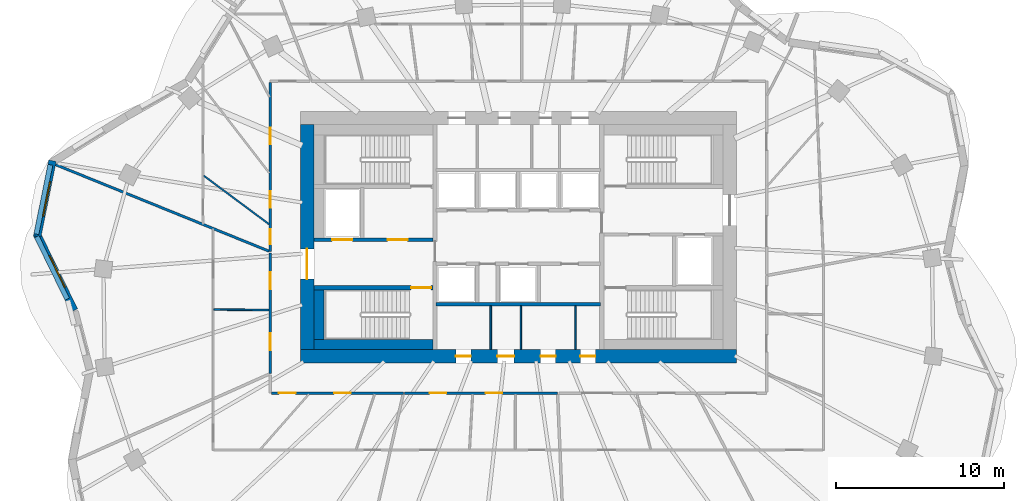
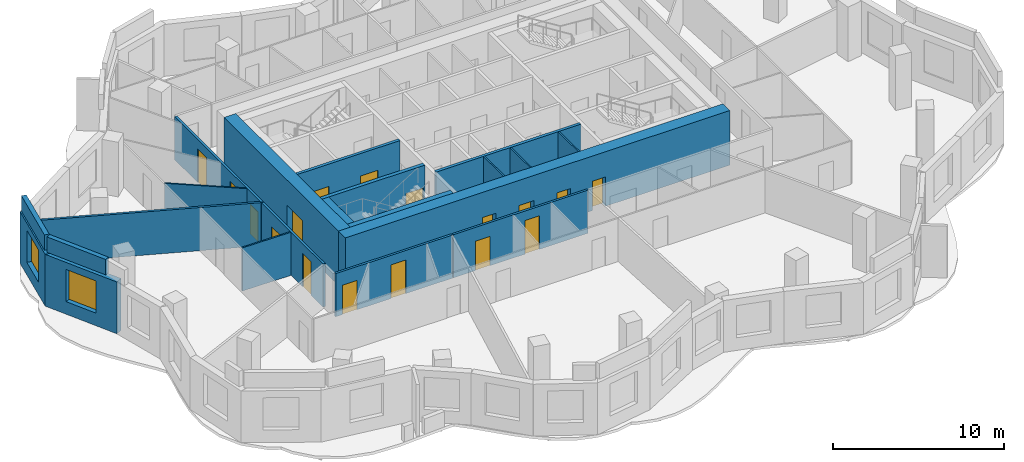
# One storey, part 4 of 10: 21 walls, 17 doors, 2 windows, 19 openings.
"""IFC4 building model written with IfcOpenShell, lengths in metres."""

from ifc_helpers import new_model, si_unit, direction, frame, frame_2d, origin, place, context, subcontext, project, spatial, rectangle, extrude, material, layer, layer_set, type_object, element, fill, save


model = new_model("IFC4")

# Units and contexts
model_context = context("Model", 3, precision=1e-05, world=origin(), true_north=direction((0.0, 1.0)))
body_context = subcontext(model_context, "Body", "Model", "MODEL_VIEW")
ifc_project = project(units=[si_unit("LENGTHUNIT", "METRE"), si_unit("AREAUNIT", "SQUARE_METRE"), si_unit("VOLUMEUNIT", "CUBIC_METRE"), si_unit("PLANEANGLEUNIT", "RADIAN"), si_unit("MASSUNIT", "GRAM", prefix="KILO")], contexts=[model_context])

# Site, building, storey
site_placement = place(None, origin())
site = spatial("IfcSite", under=ifc_project, at=site_placement, CompositionType="ELEMENT")
building_placement = place(site_placement, origin())
building = spatial("IfcBuilding", under=site, at=building_placement, Name="Rubra Terraces Tower", CompositionType="ELEMENT")
storey_placement = place(building_placement, frame((0.0, 0.0, 256.5)))
storey = spatial("IfcBuildingStorey", under=building, at=storey_placement, Name="L63", CompositionType="ELEMENT", Elevation=256.5)

# Wall, opening, window
ifc_material_1 = material(Name="Brick masonry red-brown", Category="masonry")
ifc_layer_1 = layer(ifc_material_1, 0.449951171875)
ifc_layer_set_1 = layer_set([ifc_layer_1], Name="Brick masonry red-brown")
wall_type_1 = type_object("IfcWallType", Name="Brick facade wall 450", PredefinedType="SOLIDWALL", material=ifc_layer_set_1)
wall_1_placement = place(storey_placement, frame((-27.779541015625, 9.053466796875, 0.0), z_axis=(0.0, 0.0, 1.0), x_axis=(-0.197796229105, -0.980243159503, 0.0)))
wall_1 = element("IfcWall", 1, at=wall_1_placement, inside=storey, type_object=wall_type_1, Name="Facade wall L63 bay 19", PredefinedType="SOLIDWALL", context=body_context, shape_type="SweptSolid", body=[
    extrude(rectangle(XDim=4.610107421875, YDim=0.449951171875, at=frame_2d((2.30517578125, 0.0))), origin(), (0.0, 0.0, 1.0), 3.699951171875),
])
opening_1_placement = place(wall_1_placement, frame((1.255126953125, 0.0, 0.89990234375)))
opening_1 = element("IfcOpeningElement", 2, at=opening_1_placement, cuts=wall_1, Name="Opening W1B", PredefinedType="OPENING", context=body_context, shape_type="SweptSolid", body=[
    extrude(rectangle(XDim=2.10009765625, YDim=2.300048828125, at=frame_2d((1.050048828125, 1.14990234375))), frame((0.0, 0.23486328125, 0.0), z_axis=(0.0, -1.0, 0.0), x_axis=(1.0, 0.0, 0.0)), (0.0, 0.0, 1.0), 0.469970703125),
])
ifc_material_2 = material(Name="Clear glass in aluminium frame", Category="aluminium")
window_type = type_object("IfcWindowType", Name="Fixed deep-set window tall storey 2100 x 2300", PartitioningType="SINGLE_PANEL", PredefinedType="WINDOW", material=ifc_material_2)
window_1_placement = place(opening_1_placement, origin())
window_1 = element("IfcWindow", 3, at=window_1_placement, inside=storey, type_object=window_type, Name="Window L63 bay 19", OverallHeight=2.300048828125, OverallWidth=2.10009765625, PartitioningType="SINGLE_PANEL", PredefinedType="WINDOW", context=body_context, shape_type="SweptSolid", body=[
    extrude(rectangle(XDim=2.10009765625, YDim=2.300048828125, at=frame_2d((1.050048828125, 1.14990234375))), frame((0.0, 0.135009765625, 0.0), z_axis=(0.0, -1.0, 0.0), x_axis=(1.0, 0.0, 0.0)), (0.0, 0.0, 1.0), 0.06005859375),
])
fill(opening_1, window_1)

wall_2_placement = place(storey_placement, frame((-28.70703125, 4.672119140625, 0.0), z_axis=(0.0, 0.0, 1.0), x_axis=(0.439053549989, -0.898460895221, 0.0)))
wall_2 = element("IfcWall", 4, at=wall_2_placement, inside=storey, type_object=wall_type_1, Name="Facade wall L63 bay 20", PredefinedType="SOLIDWALL", context=body_context, shape_type="SweptSolid", body=[
    extrude(rectangle(XDim=5.061767578125, YDim=0.449951171875, at=frame_2d((2.53076171875, 0.0))), origin(), (0.0, 0.0, 1.0), 3.699951171875),
])
opening_2_placement = place(wall_2_placement, frame((1.48095703125, 0.0, 0.89990234375)))
opening_2 = element("IfcOpeningElement", 5, at=opening_2_placement, cuts=wall_2, Name="Opening W1B", PredefinedType="OPENING", context=body_context, shape_type="SweptSolid", body=[
    extrude(rectangle(XDim=2.10009765625, YDim=2.300048828125, at=frame_2d((1.050048828125, 1.14990234375))), frame((0.0, 0.23486328125, 0.0), z_axis=(0.0, -1.0, 0.0), x_axis=(1.0, 0.0, 0.0)), (0.0, 0.0, 1.0), 0.469970703125),
])
window_2_placement = place(opening_2_placement, origin())
window_2 = element("IfcWindow", 6, at=window_2_placement, inside=storey, type_object=window_type, Name="Window L63 bay 20", OverallHeight=2.300048828125, OverallWidth=2.10009765625, PartitioningType="SINGLE_PANEL", PredefinedType="WINDOW", context=body_context, shape_type="SweptSolid", body=[
    extrude(rectangle(XDim=2.10009765625, YDim=2.300048828125, at=frame_2d((1.050048828125, 1.14990234375))), frame((0.0, 0.135009765625, 0.0), z_axis=(0.0, -1.0, 0.0), x_axis=(1.0, 0.0, 0.0)), (0.0, 0.0, 1.0), 0.06005859375),
])
fill(opening_2, window_2)

# Walls
ifc_layer_2 = layer(ifc_material_1, 0.300048828125)
ifc_layer_set_2 = layer_set([ifc_layer_2], Name="Brick masonry red-brown")
wall_type_2 = type_object("IfcWallType", Name="Brick parapet 300", PredefinedType="PARAPET", material=ifc_layer_set_2)
wall_3_placement = place(storey_placement, frame((-27.90478515625, 8.8115234375, 3.89990234375), z_axis=(0.0, 0.0, 1.0), x_axis=(-0.197841673862, -0.980233988435, 0.0)))
element("IfcWall", 7, at=wall_3_placement, inside=storey, type_object=wall_type_2, Name="Parapet L63 bay 19", PredefinedType="PARAPET", context=body_context, shape_type="SweptSolid", body=[
    extrude(rectangle(XDim=4.216552734375, YDim=0.300048828125, at=frame_2d((2.1083984375, 0.0))), origin(), (0.0, 0.0, 1.0), 1.10009765625),
])
wall_4_placement = place(storey_placement, frame((-28.719482421875, 4.5263671875, 3.89990234375), z_axis=(0.0, 0.0, 1.0), x_axis=(0.439134033243, -0.898421560765, 0.0)))
element("IfcWall", 8, at=wall_4_placement, inside=storey, type_object=wall_type_2, Name="Parapet L63 bay 20", PredefinedType="PARAPET", context=body_context, shape_type="SweptSolid", body=[
    extrude(rectangle(XDim=4.14306640625, YDim=0.300048828125, at=frame_2d((2.071533203125, 0.0))), origin(), (0.0, 0.0, 1.0), 1.10009765625),
])

# Wall, openings, doors
ifc_material_3 = material(Name="Concrete C50", Category="concrete")
ifc_layer_3 = layer(ifc_material_3, 0.800048828125)
ifc_layer_set_3 = layer_set([ifc_layer_3], Name="Concrete C50")
wall_type_3 = type_object("IfcWallType", Name="CORE WALL 800 C50", PredefinedType="SHEAR", material=ifc_layer_set_3)
wall_5_placement = place(storey_placement, frame((-13.0, -2.60009765625, 0.0), z_axis=(0.0, 0.0, 1.0), x_axis=(1.0, 0.0, 0.0)))
wall_5 = element("IfcWall", 9, at=wall_5_placement, inside=storey, type_object=wall_type_3, Name="CORE WALL S L63", PredefinedType="SHEAR", context=body_context, shape_type="SweptSolid", body=[
    extrude(rectangle(XDim=26.0, YDim=0.800048828125, at=frame_2d((13.0, 0.0))), origin(), (0.0, 0.0, 1.0), 3.89990234375),
])
opening_3_placement = place(wall_5_placement, frame((9.27490234375, 0.0, 0.0)))
opening_3 = element("IfcOpeningElement", 10, at=opening_3_placement, cuts=wall_5, Name="Opening L63.C21", PredefinedType="OPENING", context=body_context, shape_type="SweptSolid", body=[
    extrude(rectangle(XDim=0.89990234375, YDim=2.10009765625, at=frame_2d((0.449951171875, 1.050048828125))), frame((0.0, 0.409912109375, 0.0), z_axis=(0.0, -1.0, 0.0), x_axis=(1.0, 0.0, 0.0)), (0.0, 0.0, 1.0), 0.820068359375),
])
opening_4_placement = place(wall_5_placement, frame((11.75, 0.0, 0.0)))
opening_4 = element("IfcOpeningElement", 11, at=opening_4_placement, cuts=wall_5, Name="Opening L63.C22", PredefinedType="OPENING", context=body_context, shape_type="SweptSolid", body=[
    extrude(rectangle(XDim=1.0, YDim=2.10009765625, at=frame_2d((0.5, 1.050048828125))), frame((0.0, 0.409912109375, 0.0), z_axis=(0.0, -1.0, 0.0), x_axis=(1.0, 0.0, 0.0)), (0.0, 0.0, 1.0), 0.820068359375),
])
opening_5_placement = place(wall_5_placement, frame((14.324951171875, 0.0, 0.0)))
opening_5 = element("IfcOpeningElement", 12, at=opening_5_placement, cuts=wall_5, Name="Opening L63.C23", PredefinedType="OPENING", context=body_context, shape_type="SweptSolid", body=[
    extrude(rectangle(XDim=0.89990234375, YDim=2.10009765625, at=frame_2d((0.449951171875, 1.050048828125))), frame((0.0, 0.409912109375, 0.0), z_axis=(0.0, -1.0, 0.0), x_axis=(1.0, 0.0, 0.0)), (0.0, 0.0, 1.0), 0.820068359375),
])
opening_6_placement = place(wall_5_placement, frame((16.699951171875, 0.0, 0.0)))
opening_6 = element("IfcOpeningElement", 13, at=opening_6_placement, cuts=wall_5, Name="Opening L63.C24", PredefinedType="OPENING", context=body_context, shape_type="SweptSolid", body=[
    extrude(rectangle(XDim=0.89990234375, YDim=2.10009765625, at=frame_2d((0.449951171875, 1.050048828125))), frame((0.0, 0.409912109375, 0.0), z_axis=(0.0, -1.0, 0.0), x_axis=(1.0, 0.0, 0.0)), (0.0, 0.0, 1.0), 0.820068359375),
])
ifc_material_4 = material(Name="Painted steel", Category="steel")
door_type_1 = type_object("IfcDoorType", Name="Fire door 1000x2100 single", OperationType="NOTDEFINED", PredefinedType="DOOR", material=ifc_material_4)
door_1_placement = place(opening_4_placement, origin())
door_1 = element("IfcDoor", 14, at=door_1_placement, inside=storey, type_object=door_type_1, Name="Accessible WC door", OperationType="SINGLE_SWING_RIGHT", OverallHeight=2.10009765625, OverallWidth=1.0, PredefinedType="DOOR", context=body_context, shape_type="SweptSolid", body=[
    extrude(rectangle(XDim=1.0, YDim=2.10009765625, at=frame_2d((0.5, 1.050048828125))), frame((0.0, 0.02490234375, 0.0), z_axis=(0.0, -1.0, 0.0), x_axis=(1.0, 0.0, 0.0)), (0.0, 0.0, 1.0), 0.050048828125),
])
fill(opening_4, door_1)
door_type_2 = type_object("IfcDoorType", Name="Fire door 900x2100 single", OperationType="NOTDEFINED", PredefinedType="DOOR", material=ifc_material_4)
door_2_placement = place(opening_3_placement, origin())
door_2 = element("IfcDoor", 15, at=door_2_placement, inside=storey, type_object=door_type_2, Name="Gents WC door", OperationType="SINGLE_SWING_LEFT", OverallHeight=2.10009765625, OverallWidth=0.89990234375, PredefinedType="DOOR", context=body_context, shape_type="SweptSolid", body=[
    extrude(rectangle(XDim=0.89990234375, YDim=2.10009765625, at=frame_2d((0.449951171875, 1.050048828125))), frame((0.0, 0.02490234375, 0.0), z_axis=(0.0, -1.0, 0.0), x_axis=(1.0, 0.0, 0.0)), (0.0, 0.0, 1.0), 0.050048828125),
])
fill(opening_3, door_2)
door_3_placement = place(opening_5_placement, origin())
door_3 = element("IfcDoor", 16, at=door_3_placement, inside=storey, type_object=door_type_2, Name="Ladies WC door", OperationType="SINGLE_SWING_LEFT", OverallHeight=2.10009765625, OverallWidth=0.89990234375, PredefinedType="DOOR", context=body_context, shape_type="SweptSolid", body=[
    extrude(rectangle(XDim=0.89990234375, YDim=2.10009765625, at=frame_2d((0.449951171875, 1.050048828125))), frame((0.0, 0.02490234375, 0.0), z_axis=(0.0, -1.0, 0.0), x_axis=(1.0, 0.0, 0.0)), (0.0, 0.0, 1.0), 0.050048828125),
])
fill(opening_5, door_3)
door_4_placement = place(opening_6_placement, origin())
door_4 = element("IfcDoor", 17, at=door_4_placement, inside=storey, type_object=door_type_2, Name="Cleaner's store door", OperationType="SINGLE_SWING_RIGHT", OverallHeight=2.10009765625, OverallWidth=0.89990234375, PredefinedType="DOOR", context=body_context, shape_type="SweptSolid", body=[
    extrude(rectangle(XDim=0.89990234375, YDim=2.10009765625, at=frame_2d((0.449951171875, 1.050048828125))), frame((0.0, 0.02490234375, 0.0), z_axis=(0.0, -1.0, 0.0), x_axis=(1.0, 0.0, 0.0)), (0.0, 0.0, 1.0), 0.050048828125),
])
fill(opening_6, door_4)

# Wall, opening, door
wall_6_placement = place(storey_placement, frame((-12.60009765625, -2.199951171875, 0.0), z_axis=(0.0, 0.0, 1.0), x_axis=(0.0, 1.0, 0.0)))
wall_6 = element("IfcWall", 18, at=wall_6_placement, inside=storey, type_object=wall_type_3, Name="CORE WALL W L63", PredefinedType="SHEAR", context=body_context, shape_type="SweptSolid", body=[
    extrude(rectangle(XDim=13.39990234375, YDim=0.800048828125, at=frame_2d((6.699951171875, 0.0))), origin(), (0.0, 0.0, 1.0), 3.89990234375),
])
opening_7_placement = place(wall_6_placement, frame((4.199951171875, 0.0, 0.0)))
opening_7 = element("IfcOpeningElement", 19, at=opening_7_placement, cuts=wall_6, Name="Opening L63.C01", PredefinedType="OPENING", context=body_context, shape_type="SweptSolid", body=[
    extrude(rectangle(XDim=1.800048828125, YDim=2.10009765625, at=frame_2d((0.89990234375, 1.050048828125))), frame((0.0, 0.409912109375, 0.0), z_axis=(0.0, -1.0, 0.0), x_axis=(1.0, 0.0, 0.0)), (0.0, 0.0, 1.0), 0.820068359375),
])
door_type_3 = type_object("IfcDoorType", Name="Fire door 1800x2100 double", OperationType="NOTDEFINED", PredefinedType="DOOR", material=ifc_material_4)
door_5_placement = place(opening_7_placement, origin())
door_5 = element("IfcDoor", 20, at=door_5_placement, inside=storey, type_object=door_type_3, Name="Core entrance door FF1", OperationType="DOUBLE_DOOR_SINGLE_SWING", OverallHeight=2.10009765625, OverallWidth=1.800048828125, PredefinedType="DOOR", context=body_context, shape_type="SweptSolid", body=[
    extrude(rectangle(XDim=1.800048828125, YDim=2.10009765625, at=frame_2d((0.89990234375, 1.050048828125))), frame((0.0, 0.02490234375, 0.0), z_axis=(0.0, -1.0, 0.0), x_axis=(1.0, 0.0, 0.0)), (0.0, 0.0, 1.0), 0.050048828125),
])
fill(opening_7, door_5)

# Wall, openings, doors
ifc_material_5 = material(Name="Plasterboard on steel stud, mineral wool infill", Category="steel")
ifc_layer_4 = layer(ifc_material_5, 0.14990234375)
ifc_layer_set_4 = layer_set([ifc_layer_4], Name="Plasterboard on steel stud, mineral wool infill")
wall_type_4 = type_object("IfcWallType", Name="CORRIDOR PARTITION 150", PredefinedType="PARTITIONING", material=ifc_layer_set_4)
wall_7_placement = place(storey_placement, frame((-14.800048828125, 13.72509765625, 0.0), z_axis=(0.0, 0.0, 1.0), x_axis=(0.0, -1.0, 0.0)))
wall_7 = element("IfcWall", 21, at=wall_7_placement, inside=storey, type_object=wall_type_4, Name="PARTITION", PredefinedType="PARTITIONING", context=body_context, shape_type="SweptSolid", body=[
    extrude(rectangle(XDim=10.093505859375, YDim=0.14990234375, at=frame_2d((5.046875, 0.0))), origin(), (0.0, 0.0, 1.0), 3.083984375),
])
opening_8_placement = place(wall_7_placement, frame((2.700927734375, 0.0, 0.0)))
opening_8 = element("IfcOpeningElement", 22, at=opening_8_placement, cuts=wall_7, Name="Opening 63-111", PredefinedType="OPENING", context=body_context, shape_type="SweptSolid", body=[
    extrude(rectangle(XDim=1.0, YDim=2.39990234375, at=frame_2d((0.5, 1.199951171875))), frame((0.0, 0.0849609375, 0.0), z_axis=(0.0, -1.0, 0.0), x_axis=(1.0, 0.0, 0.0)), (0.0, 0.0, 1.0), 0.169921875),
])
opening_9_placement = place(wall_7_placement, frame((6.488037109375, 0.0, 0.0)))
opening_9 = element("IfcOpeningElement", 23, at=opening_9_placement, cuts=wall_7, Name="Opening 63-112", PredefinedType="OPENING", context=body_context, shape_type="SweptSolid", body=[
    extrude(rectangle(XDim=1.0, YDim=2.39990234375, at=frame_2d((0.5, 1.199951171875))), frame((0.0, 0.0849609375, 0.0), z_axis=(0.0, -1.0, 0.0), x_axis=(1.0, 0.0, 0.0)), (0.0, 0.0, 1.0), 0.169921875),
])
opening_10_placement = place(wall_7_placement, frame((8.75, 0.0, 0.0)))
opening_10 = element("IfcOpeningElement", 24, at=opening_10_placement, cuts=wall_7, Name="Opening 63-136", PredefinedType="OPENING", context=body_context, shape_type="SweptSolid", body=[
    extrude(rectangle(XDim=0.89990234375, YDim=2.10009765625, at=frame_2d((0.449951171875, 1.050048828125))), frame((0.0, 0.0849609375, 0.0), z_axis=(0.0, -1.0, 0.0), x_axis=(1.0, 0.0, 0.0)), (0.0, 0.0, 1.0), 0.169921875),
])
ifc_material_6 = material(Name="Painted timber door leaf", Category="wood")
door_type_4 = type_object("IfcDoorType", Name="BATHROOM DOOR 900 X 2100", OperationType="SINGLE_SWING_LEFT", PredefinedType="DOOR", material=ifc_material_6)
door_6_placement = place(opening_10_placement, origin())
door_6 = element("IfcDoor", 25, at=door_6_placement, inside=storey, type_object=door_type_4, Name="DOOR 63-136", OperationType="SINGLE_SWING_RIGHT", OverallHeight=2.10009765625, OverallWidth=0.89990234375, PredefinedType="DOOR", context=body_context, shape_type="SweptSolid", body=[
    extrude(rectangle(XDim=0.89990234375, YDim=2.10009765625, at=frame_2d((0.449951171875, 1.050048828125))), frame((0.0, 0.02490234375, 0.0), z_axis=(0.0, -1.0, 0.0), x_axis=(1.0, 0.0, 0.0)), (0.0, 0.0, 1.0), 0.050048828125),
])
fill(opening_10, door_6)
ifc_material_7 = material(Name="Glazed aluminium meeting door leaf", Category="aluminium")
door_type_5 = type_object("IfcDoorType", Name="MEETING ROOM GLAZED DOOR 1000 X 2400", OperationType="SINGLE_SWING_LEFT", PredefinedType="DOOR", material=ifc_material_7)
door_7_placement = place(opening_8_placement, origin())
door_7 = element("IfcDoor", 26, at=door_7_placement, inside=storey, type_object=door_type_5, Name="DOOR 63-111", OperationType="SINGLE_SWING_RIGHT", OverallHeight=2.39990234375, OverallWidth=1.0, PredefinedType="DOOR", context=body_context, shape_type="SweptSolid", body=[
    extrude(rectangle(XDim=1.0, YDim=2.39990234375, at=frame_2d((0.5, 1.199951171875))), frame((0.0, 0.02490234375, 0.0), z_axis=(0.0, -1.0, 0.0), x_axis=(1.0, 0.0, 0.0)), (0.0, 0.0, 1.0), 0.050048828125),
])
fill(opening_8, door_7)
door_8_placement = place(opening_9_placement, origin())
door_8 = element("IfcDoor", 27, at=door_8_placement, inside=storey, type_object=door_type_5, Name="DOOR 63-112", OperationType="SINGLE_SWING_RIGHT", OverallHeight=2.39990234375, OverallWidth=1.0, PredefinedType="DOOR", context=body_context, shape_type="SweptSolid", body=[
    extrude(rectangle(XDim=1.0, YDim=2.39990234375, at=frame_2d((0.5, 1.199951171875))), frame((0.0, 0.02490234375, 0.0), z_axis=(0.0, -1.0, 0.0), x_axis=(1.0, 0.0, 0.0)), (0.0, 0.0, 1.0), 0.050048828125),
])
fill(opening_9, door_8)

wall_8_placement = place(storey_placement, frame((-14.800048828125, 3.556640625, 0.0), z_axis=(0.0, 0.0, 1.0), x_axis=(0.0, -1.0, 0.0)))
wall_8 = element("IfcWall", 28, at=wall_8_placement, inside=storey, type_object=wall_type_4, Name="PARTITION", PredefinedType="PARTITIONING", context=body_context, shape_type="SweptSolid", body=[
    extrude(rectangle(XDim=7.200439453125, YDim=0.14990234375, at=frame_2d((3.60009765625, 0.0))), origin(), (0.0, 0.0, 1.0), 3.083984375),
])
opening_11_placement = place(wall_8_placement, frame((1.1669921875, 0.0, 0.0)))
opening_11 = element("IfcOpeningElement", 29, at=opening_11_placement, cuts=wall_8, Name="Opening 63-114", PredefinedType="OPENING", context=body_context, shape_type="SweptSolid", body=[
    extrude(rectangle(XDim=1.0, YDim=2.10009765625, at=frame_2d((0.5, 1.050048828125))), frame((0.0, 0.0849609375, 0.0), z_axis=(0.0, -1.0, 0.0), x_axis=(1.0, 0.0, 0.0)), (0.0, 0.0, 1.0), 0.169921875),
])
opening_12_placement = place(wall_8_placement, frame((4.804931640625, 0.0, 0.0)))
opening_12 = element("IfcOpeningElement", 30, at=opening_12_placement, cuts=wall_8, Name="Opening 63-116", PredefinedType="OPENING", context=body_context, shape_type="SweptSolid", body=[
    extrude(rectangle(XDim=1.0, YDim=2.39990234375, at=frame_2d((0.5, 1.199951171875))), frame((0.0, 0.0849609375, 0.0), z_axis=(0.0, -1.0, 0.0), x_axis=(1.0, 0.0, 0.0)), (0.0, 0.0, 1.0), 0.169921875),
])
door_9_placement = place(opening_12_placement, origin())
door_9 = element("IfcDoor", 31, at=door_9_placement, inside=storey, type_object=door_type_5, Name="DOOR 63-116", OperationType="SINGLE_SWING_RIGHT", OverallHeight=2.39990234375, OverallWidth=1.0, PredefinedType="DOOR", context=body_context, shape_type="SweptSolid", body=[
    extrude(rectangle(XDim=1.0, YDim=2.39990234375, at=frame_2d((0.5, 1.199951171875))), frame((0.0, 0.02490234375, 0.0), z_axis=(0.0, -1.0, 0.0), x_axis=(1.0, 0.0, 0.0)), (0.0, 0.0, 1.0), 0.050048828125),
])
fill(opening_12, door_9)
door_type_6 = type_object("IfcDoorType", Name="ROOM DOOR 1000 X 2100", OperationType="SINGLE_SWING_LEFT", PredefinedType="DOOR", material=ifc_material_6)
door_10_placement = place(opening_11_placement, origin())
door_10 = element("IfcDoor", 32, at=door_10_placement, inside=storey, type_object=door_type_6, Name="DOOR 63-114", OperationType="SINGLE_SWING_RIGHT", OverallHeight=2.10009765625, OverallWidth=1.0, PredefinedType="DOOR", context=body_context, shape_type="SweptSolid", body=[
    extrude(rectangle(XDim=1.0, YDim=2.10009765625, at=frame_2d((0.5, 1.050048828125))), frame((0.0, 0.02490234375, 0.0), z_axis=(0.0, -1.0, 0.0), x_axis=(1.0, 0.0, 0.0)), (0.0, 0.0, 1.0), 0.050048828125),
])
fill(opening_11, door_10)

wall_9_placement = place(storey_placement, frame((-14.72509765625, -4.800048828125, 0.0), z_axis=(0.0, 0.0, 1.0), x_axis=(1.0, 0.0, 0.0)))
wall_9 = element("IfcWall", 33, at=wall_9_placement, inside=storey, type_object=wall_type_4, Name="PARTITION", PredefinedType="PARTITIONING", context=body_context, shape_type="SweptSolid", body=[
    extrude(rectangle(XDim=7.87451171875, YDim=0.14990234375, at=frame_2d((3.937255859375, 0.0))), origin(), (0.0, 0.0, 1.0), 3.083984375),
])
opening_13_placement = place(wall_9_placement, frame((0.449951171875, 0.0, 0.0)))
opening_13 = element("IfcOpeningElement", 34, at=opening_13_placement, cuts=wall_9, Name="Opening 63-117", PredefinedType="OPENING", context=body_context, shape_type="SweptSolid", body=[
    extrude(rectangle(XDim=1.0, YDim=2.10009765625, at=frame_2d((0.5, 1.050048828125))), frame((0.0, 0.0849609375, 0.0), z_axis=(0.0, -1.0, 0.0), x_axis=(1.0, 0.0, 0.0)), (0.0, 0.0, 1.0), 0.169921875),
])
opening_14_placement = place(wall_9_placement, frame((3.735107421875, 0.0, 0.0)))
opening_14 = element("IfcOpeningElement", 35, at=opening_14_placement, cuts=wall_9, Name="Opening 63-119", PredefinedType="OPENING", context=body_context, shape_type="SweptSolid", body=[
    extrude(rectangle(XDim=1.0, YDim=2.39990234375, at=frame_2d((0.5, 1.199951171875))), frame((0.0, 0.0849609375, 0.0), z_axis=(0.0, -1.0, 0.0), x_axis=(1.0, 0.0, 0.0)), (0.0, 0.0, 1.0), 0.169921875),
])
door_11_placement = place(opening_14_placement, origin())
door_11 = element("IfcDoor", 36, at=door_11_placement, inside=storey, type_object=door_type_5, Name="DOOR 63-119", OperationType="SINGLE_SWING_RIGHT", OverallHeight=2.39990234375, OverallWidth=1.0, PredefinedType="DOOR", context=body_context, shape_type="SweptSolid", body=[
    extrude(rectangle(XDim=1.0, YDim=2.39990234375, at=frame_2d((0.5, 1.199951171875))), frame((0.0, 0.02490234375, 0.0), z_axis=(0.0, -1.0, 0.0), x_axis=(1.0, 0.0, 0.0)), (0.0, 0.0, 1.0), 0.050048828125),
])
fill(opening_14, door_11)
door_12_placement = place(opening_13_placement, origin())
door_12 = element("IfcDoor", 37, at=door_12_placement, inside=storey, type_object=door_type_6, Name="DOOR 63-117", OperationType="SINGLE_SWING_RIGHT", OverallHeight=2.10009765625, OverallWidth=1.0, PredefinedType="DOOR", context=body_context, shape_type="SweptSolid", body=[
    extrude(rectangle(XDim=1.0, YDim=2.10009765625, at=frame_2d((0.5, 1.050048828125))), frame((0.0, 0.02490234375, 0.0), z_axis=(0.0, -1.0, 0.0), x_axis=(1.0, 0.0, 0.0)), (0.0, 0.0, 1.0), 0.050048828125),
])
fill(opening_13, door_12)

wall_10_placement = place(storey_placement, frame((-6.775634765625, -4.800048828125, 0.0), z_axis=(0.0, 0.0, 1.0), x_axis=(1.0, 0.0, 0.0)))
wall_10 = element("IfcWall", 38, at=wall_10_placement, inside=storey, type_object=wall_type_4, Name="PARTITION", PredefinedType="PARTITIONING", context=body_context, shape_type="SweptSolid", body=[
    extrude(rectangle(XDim=9.114013671875, YDim=0.14990234375, at=frame_2d((4.55712890625, 0.0))), origin(), (0.0, 0.0, 1.0), 3.083984375),
])
opening_15_placement = place(wall_10_placement, frame((1.489990234375, 0.0, 0.0)))
opening_15 = element("IfcOpeningElement", 39, at=opening_15_placement, cuts=wall_10, Name="Opening 63-121", PredefinedType="OPENING", context=body_context, shape_type="SweptSolid", body=[
    extrude(rectangle(XDim=1.0, YDim=2.10009765625, at=frame_2d((0.5, 1.050048828125))), frame((0.0, 0.0849609375, 0.0), z_axis=(0.0, -1.0, 0.0), x_axis=(1.0, 0.0, 0.0)), (0.0, 0.0, 1.0), 0.169921875),
])
opening_16_placement = place(wall_10_placement, frame((4.825927734375, 0.0, 0.0)))
opening_16 = element("IfcOpeningElement", 40, at=opening_16_placement, cuts=wall_10, Name="Opening 63-123", PredefinedType="OPENING", context=body_context, shape_type="SweptSolid", body=[
    extrude(rectangle(XDim=1.0, YDim=2.39990234375, at=frame_2d((0.5, 1.199951171875))), frame((0.0, 0.0849609375, 0.0), z_axis=(0.0, -1.0, 0.0), x_axis=(1.0, 0.0, 0.0)), (0.0, 0.0, 1.0), 0.169921875),
])
door_13_placement = place(opening_16_placement, origin())
door_13 = element("IfcDoor", 41, at=door_13_placement, inside=storey, type_object=door_type_5, Name="DOOR 63-123", OperationType="SINGLE_SWING_RIGHT", OverallHeight=2.39990234375, OverallWidth=1.0, PredefinedType="DOOR", context=body_context, shape_type="SweptSolid", body=[
    extrude(rectangle(XDim=1.0, YDim=2.39990234375, at=frame_2d((0.5, 1.199951171875))), frame((0.0, 0.02490234375, 0.0), z_axis=(0.0, -1.0, 0.0), x_axis=(1.0, 0.0, 0.0)), (0.0, 0.0, 1.0), 0.050048828125),
])
fill(opening_16, door_13)
door_14_placement = place(opening_15_placement, origin())
door_14 = element("IfcDoor", 42, at=door_14_placement, inside=storey, type_object=door_type_6, Name="DOOR 63-121", OperationType="SINGLE_SWING_RIGHT", OverallHeight=2.10009765625, OverallWidth=1.0, PredefinedType="DOOR", context=body_context, shape_type="SweptSolid", body=[
    extrude(rectangle(XDim=1.0, YDim=2.10009765625, at=frame_2d((0.5, 1.050048828125))), frame((0.0, 0.02490234375, 0.0), z_axis=(0.0, -1.0, 0.0), x_axis=(1.0, 0.0, 0.0)), (0.0, 0.0, 1.0), 0.050048828125),
])
fill(opening_15, door_14)

# Walls
ifc_material_8 = material(Name="Concrete C40", Category="concrete")
ifc_layer_5 = layer(ifc_material_8, 0.60009765625)
ifc_layer_set_5 = layer_set([ifc_layer_5], Name="Concrete C40")
wall_type_5 = type_object("IfcWallType", Name="Core lining wall 600 concrete", PredefinedType="SOLIDWALL", material=ifc_layer_set_5)
wall_11_placement = place(storey_placement, frame((-12.199951171875, -1.89990234375, 0.0), z_axis=(0.0, 0.0, 1.0), x_axis=(1.0, 0.0, 0.0)))
element("IfcWall", 43, at=wall_11_placement, inside=storey, type_object=wall_type_5, Name="CORE LINING WALL L63", PredefinedType="SOLIDWALL", context=body_context, shape_type="SweptSolid", body=[
    extrude(rectangle(XDim=7.099853515625, YDim=0.60009765625, at=frame_2d((3.5498046875, 0.0))), origin(), (0.0, 0.0, 1.0), 3.699951171875),
])
wall_12_placement = place(storey_placement, frame((-11.89990234375, -1.60009765625, 0.0), z_axis=(0.0, 0.0, 1.0), x_axis=(0.0, 1.0, 0.0)))
element("IfcWall", 44, at=wall_12_placement, inside=storey, type_object=wall_type_5, Name="CORE LINING WALL L63", PredefinedType="SOLIDWALL", context=body_context, shape_type="SweptSolid", body=[
    extrude(rectangle(XDim=2.9501953125, YDim=0.60009765625, at=frame_2d((1.47509765625, 0.0))), origin(), (0.0, 0.0, 1.0), 3.699951171875),
])

# Wall, openings, doors
ifc_material_9 = material(Name="Concrete C30", Category="concrete")
ifc_layer_6 = layer(ifc_material_9, 0.199951171875)
ifc_layer_set_6 = layer_set([ifc_layer_6], Name="Concrete C30")
wall_type_6 = type_object("IfcWallType", Name="Core wall 200 concrete", PredefinedType="SOLIDWALL", material=ifc_layer_set_6)
wall_13_placement = place(storey_placement, frame((-12.199951171875, 4.35009765625, 0.0), z_axis=(0.0, 0.0, 1.0), x_axis=(1.0, 0.0, 0.0)))
wall_13 = element("IfcWall", 45, at=wall_13_placement, inside=storey, type_object=wall_type_6, Name="STAIR WALL L63", PredefinedType="SOLIDWALL", context=body_context, shape_type="SweptSolid", body=[
    extrude(rectangle(XDim=7.099853515625, YDim=0.199951171875, at=frame_2d((3.5498046875, 0.0))), origin(), (0.0, 0.0, 1.0), 3.699951171875),
])
opening_17_placement = place(wall_13_placement, frame((4.39990234375, 0.0, 0.0)))
opening_17 = element("IfcOpeningElement", 46, at=opening_17_placement, cuts=wall_13, Name="Opening L63.C05", PredefinedType="OPENING", context=body_context, shape_type="SweptSolid", body=[
    extrude(rectangle(XDim=1.199951171875, YDim=2.10009765625, at=frame_2d((0.60009765625, 1.050048828125))), frame((0.0, 0.10986328125, 0.0), z_axis=(0.0, -1.0, 0.0), x_axis=(1.0, 0.0, 0.0)), (0.0, 0.0, 1.0), 0.219970703125),
])
opening_18_placement = place(wall_13_placement, frame((1.10009765625, 0.0, 0.0)))
opening_18 = element("IfcOpeningElement", 47, at=opening_18_placement, cuts=wall_13, Name="Opening L63.C11", PredefinedType="OPENING", context=body_context, shape_type="SweptSolid", body=[
    extrude(rectangle(XDim=1.199951171875, YDim=2.10009765625, at=frame_2d((0.60009765625, 1.050048828125))), frame((0.0, 0.10986328125, 0.0), z_axis=(0.0, -1.0, 0.0), x_axis=(1.0, 0.0, 0.0)), (0.0, 0.0, 1.0), 0.219970703125),
])
door_type_7 = type_object("IfcDoorType", Name="Fire door 1200x2100 single", OperationType="NOTDEFINED", PredefinedType="DOOR", material=ifc_material_4)
door_15_placement = place(opening_17_placement, origin())
door_15 = element("IfcDoor", 48, at=door_15_placement, inside=storey, type_object=door_type_7, Name="Stair vestibule door S2", OperationType="SINGLE_SWING_LEFT", OverallHeight=2.10009765625, OverallWidth=1.199951171875, PredefinedType="DOOR", context=body_context, shape_type="SweptSolid", body=[
    extrude(rectangle(XDim=1.199951171875, YDim=2.10009765625, at=frame_2d((0.60009765625, 1.050048828125))), frame((0.0, 0.02490234375, 0.0), z_axis=(0.0, -1.0, 0.0), x_axis=(1.0, 0.0, 0.0)), (0.0, 0.0, 1.0), 0.050048828125),
])
fill(opening_17, door_15)
ifc_material_10 = material(Name="Stainless steel", Category="steel")
door_type_8 = type_object("IfcDoorType", Name="Lift landing door 1200x2100", OperationType="NOTDEFINED", PredefinedType="DOOR", material=ifc_material_10)
door_16_placement = place(opening_18_placement, origin())
door_16 = element("IfcDoor", 49, at=door_16_placement, inside=storey, type_object=door_type_8, Name="Landing door FF1", OperationType="SLIDING_TO_RIGHT", OverallHeight=2.10009765625, OverallWidth=1.199951171875, PredefinedType="DOOR", context=body_context, shape_type="SweptSolid", body=[
    extrude(rectangle(XDim=1.199951171875, YDim=2.10009765625, at=frame_2d((0.60009765625, 1.050048828125))), frame((0.0, 0.02490234375, 0.0), z_axis=(0.0, -1.0, 0.0), x_axis=(1.0, 0.0, 0.0)), (0.0, 0.0, 1.0), 0.050048828125),
])
fill(opening_18, door_16)

# Walls
wall_14_placement = place(storey_placement, frame((-4.89990234375, 0.5, 0.0), z_axis=(0.0, 0.0, 1.0), x_axis=(1.0, 0.0, 0.0)))
element("IfcWall", 50, at=wall_14_placement, inside=storey, type_object=wall_type_6, Name="LIFT SHAFT WALL L63", PredefinedType="SOLIDWALL", context=body_context, shape_type="SweptSolid", body=[
    extrude(rectangle(XDim=9.7998046875, YDim=0.199951171875, at=frame_2d((4.89990234375, 0.0))), origin(), (0.0, 0.0, 1.0), 3.699951171875),
])
ifc_material_11 = material(Name="Plasterboard on steel stud", Category="steel")
ifc_layer_7 = layer(ifc_material_11, 0.10009765625)
ifc_layer_set_7 = layer_set([ifc_layer_7], Name="Plasterboard on steel stud")
wall_type_7 = type_object("IfcWallType", Name="ROOM PARTITION 100", PredefinedType="PARTITIONING", material=ifc_layer_set_7)
wall_15_placement = place(storey_placement, frame((-14.860107421875, 5.26318359375, 0.0), z_axis=(0.0, 0.0, 1.0), x_axis=(-0.802729414407, 0.596343430622, 0.0)))
element("IfcWall", 51, at=wall_15_placement, inside=storey, type_object=wall_type_7, Name="PARTITION", PredefinedType="PARTITIONING", context=body_context, shape_type="SweptSolid", body=[
    extrude(rectangle(XDim=4.8583984375, YDim=0.10009765625, at=frame_2d((2.42919921875, 0.0))), origin(), (0.0, 0.0, 1.0), 3.083984375),
])
wall_16_placement = place(storey_placement, frame((-14.875, 0.147705078125, 0.0), z_axis=(0.0, 0.0, 1.0), x_axis=(-0.999951586139, 0.009839988771, 0.0)))
element("IfcWall", 52, at=wall_16_placement, inside=storey, type_object=wall_type_7, Name="PARTITION", PredefinedType="PARTITIONING", context=body_context, shape_type="SweptSolid", body=[
    extrude(rectangle(XDim=3.275146484375, YDim=0.10009765625, at=frame_2d((1.6376953125, 0.0))), origin(), (0.0, 0.0, 1.0), 3.083984375),
])
ifc_layer_8 = layer(ifc_material_11, 0.14990234375)
ifc_layer_set_8 = layer_set([ifc_layer_8], Name="Plasterboard on steel stud")
wall_type_8 = type_object("IfcWallType", Name="ROOM PARTITION 150", PredefinedType="PARTITIONING", material=ifc_layer_set_8)
wall_17_placement = place(storey_placement, frame((-27.5927734375, 8.816162109375, 0.0), z_axis=(0.0, 0.0, 1.0), x_axis=(0.926786954891, -0.37558746018, 0.0)))
element("IfcWall", 53, at=wall_17_placement, inside=storey, type_object=wall_type_8, Name="PARTITION", PredefinedType="PARTITIONING", context=body_context, shape_type="SweptSolid", body=[
    extrude(rectangle(XDim=13.728515625, YDim=0.14990234375, at=frame_2d((6.8642578125, 0.0))), origin(), (0.0, 0.0, 1.0), 3.083984375),
])
ifc_material_12 = material(Name="Blockwork", Category="masonry")
ifc_layer_9 = layer(ifc_material_12, 0.10009765625)
ifc_layer_set_9 = layer_set([ifc_layer_9], Name="Blockwork")
wall_type_9 = type_object("IfcWallType", Name="Service partition 100 blockwork", PredefinedType="PARTITIONING", material=ifc_layer_set_9)
for number, where, z_axis, x_axis, name in (
    (54, (-1.64990234375, -2.199951171875, 0.0), (0.0, 0.0, 1.0), (0.0, 1.0, 0.0), "SERVICE ROOM PARTITION L63"),
    (55, (0.14990234375, -2.199951171875, 0.0), (0.0, 0.0, 1.0), (0.0, 1.0, 0.0), "SERVICE ROOM PARTITION L63"),
    (56, (3.39990234375, -2.199951171875, 0.0), (0.0, 0.0, 1.0), (0.0, 1.0, 0.0), "SERVICE ROOM PARTITION L63"),
):
    element("IfcWall", number, at=place(storey_placement, frame(where, z_axis=z_axis, x_axis=x_axis)), inside=storey, type_object=wall_type_9, Name=name, PredefinedType="PARTITIONING", context=body_context, shape_type="SweptSolid", body=[
        extrude(rectangle(XDim=2.599853515625, YDim=0.10009765625, at=frame_2d((1.2998046875, 0.0))), origin(), (0.0, 0.0, 1.0), 3.699951171875),
    ])

# Wall, opening, door
ifc_layer_10 = layer(ifc_material_8, 0.25)
ifc_layer_set_10 = layer_set([ifc_layer_10], Name="Concrete C40")
wall_type_10 = type_object("IfcWallType", Name="Stair enclosure wall 250 concrete", PredefinedType="SOLIDWALL", material=ifc_layer_set_10)
wall_18_placement = place(storey_placement, frame((-12.199951171875, 1.47509765625, 0.0), z_axis=(0.0, 0.0, 1.0), x_axis=(1.0, 0.0, 0.0)))
wall_18 = element("IfcWall", 57, at=wall_18_placement, inside=storey, type_object=wall_type_10, Name="STAIR WALL L63", PredefinedType="SOLIDWALL", context=body_context, shape_type="SweptSolid", body=[
    extrude(rectangle(XDim=7.099853515625, YDim=0.25, at=frame_2d((3.5498046875, 0.0))), origin(), (0.0, 0.0, 1.0), 3.699951171875),
])
opening_19_placement = place(wall_18_placement, frame((5.800048828125, 0.0, 0.0)))
opening_19 = element("IfcOpeningElement", 58, at=opening_19_placement, cuts=wall_18, Name="Opening L63.C07", PredefinedType="OPENING", context=body_context, shape_type="SweptSolid", body=[
    extrude(rectangle(XDim=1.199951171875, YDim=2.10009765625, at=frame_2d((0.60009765625, 1.050048828125))), frame((0.0, 0.135009765625, 0.0), z_axis=(0.0, -1.0, 0.0), x_axis=(1.0, 0.0, 0.0)), (0.0, 0.0, 1.0), 0.27001953125),
])
door_17_placement = place(opening_19_placement, origin())
door_17 = element("IfcDoor", 59, at=door_17_placement, inside=storey, type_object=door_type_7, Name="Stair door S1", OperationType="SINGLE_SWING_LEFT", OverallHeight=2.10009765625, OverallWidth=1.199951171875, PredefinedType="DOOR", context=body_context, shape_type="SweptSolid", body=[
    extrude(rectangle(XDim=1.199951171875, YDim=2.10009765625, at=frame_2d((0.60009765625, 1.050048828125))), frame((0.0, 0.02490234375, 0.0), z_axis=(0.0, -1.0, 0.0), x_axis=(1.0, 0.0, 0.0)), (0.0, 0.0, 1.0), 0.050048828125),
])
fill(opening_19, door_17)

save(model, "model.ifc")
